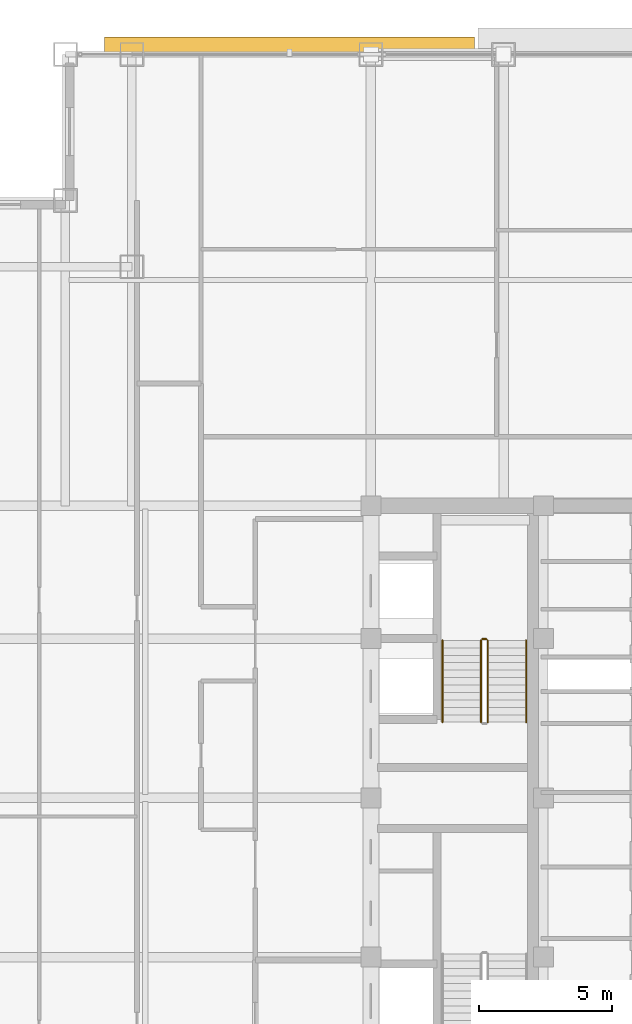
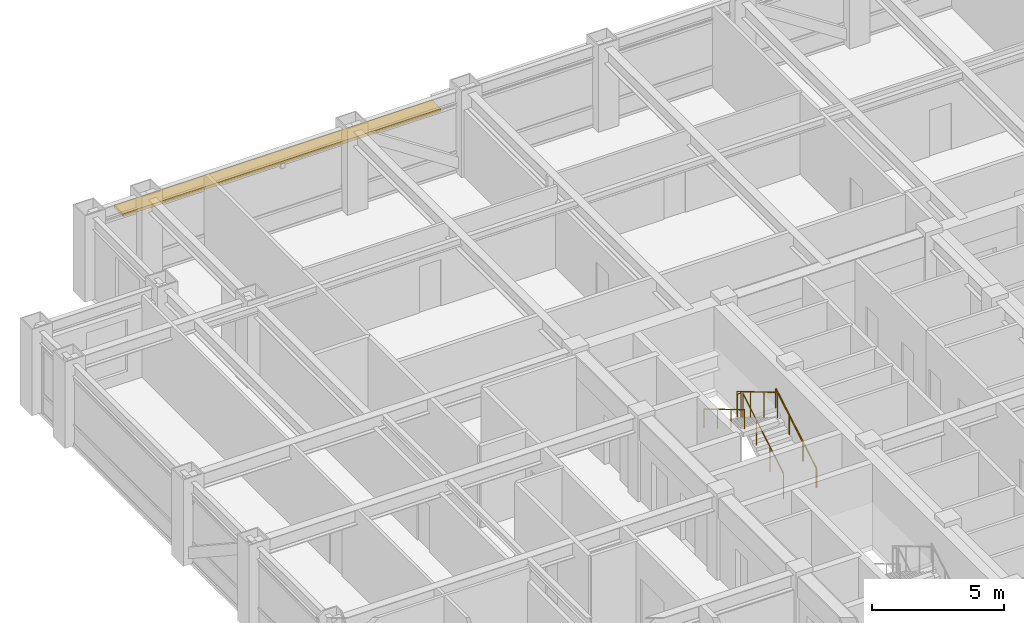
# One storey, part 28 of 29: 5 railings, 1 shading device.
"""IFC4 building model written with IfcOpenShell, lengths in metres."""

from ifc_helpers import new_model, si_unit, direction, frame, origin, origin_2d, place, context, subcontext, project, spatial, rectangle, circle, extrude, source, transform, mapped, material, layer, layer_set, type_object, element, save


model = new_model("IFC4")

# Units and contexts
model_context = context("Model", 3, precision=1e-05, world=origin(), true_north=direction((0.0, 1.0)))
body_context = subcontext(model_context, "Body", "Model", "MODEL_VIEW")
ifc_project = project(units=[si_unit("LENGTHUNIT", "METRE"), si_unit("AREAUNIT", "SQUARE_METRE"), si_unit("VOLUMEUNIT", "CUBIC_METRE"), si_unit("PLANEANGLEUNIT", "RADIAN"), si_unit("MASSUNIT", "GRAM", prefix="KILO")], contexts=[model_context])

# Site, building, storey
site_placement = place(None, origin())
site = spatial("IfcSite", under=ifc_project, at=site_placement, CompositionType="ELEMENT")
building_placement = place(site_placement, origin())
building = spatial("IfcBuilding", under=site, at=building_placement, Name="Khorayat Bourse Tower", CompositionType="ELEMENT")
storey_placement = place(building_placement, frame((0.0, 0.0, 277.5)))
storey = spatial("IfcBuildingStorey", under=building, at=storey_placement, Name="L65", CompositionType="ELEMENT", Elevation=277.5)

# Shading device
ifc_material_1 = material(Name="Precast concrete C45/55", Category="concrete")
ifc_layer = layer(ifc_material_1, 0.139892578125)
ifc_layer_set = layer_set([ifc_layer], Name="Precast concrete C45/55")
shading_device_type = type_object("IfcShadingDeviceType", Name="SHD-WAVE-TRAY-B", PredefinedType="USERDEFINED", material=ifc_layer_set)
shared_shape_1 = source(origin(), body_context, "Body", "SweptSolid", [
    extrude(rectangle(XDim=13.9267578125, YDim=0.67138671875, at=origin_2d()), origin(), (0.0, 0.0, 1.0), 0.139892578125),
])
shading_device_placement = place(storey_placement, frame((-14.066650390625, 28.31591796875, 3.0302734375), z_axis=(0.0, 0.0, 1.0), x_axis=(1.0, 0.0, 0.0)))
element("IfcShadingDevice", 1, at=shading_device_placement, inside=storey, type_object=shading_device_type, Name="L65 Sinusoidal Wave Sunshade Tray N-1", ObjectType="SUNSHADE", PredefinedType="USERDEFINED", context=body_context, shape_type="MappedRepresentation", body=[
    mapped(shared_shape_1, transform((0.0, 0.0, 0.0), scale=1.0)),
])

# Railings
ifc_material_2 = material(Name="Powder-coated steel balustrade", Category="steel")
railing_type_1 = type_object("IfcRailingType", Name="RLG-GUARD-1200", PredefinedType="GUARDRAIL", material=ifc_material_2)
shared_shape_2 = source(origin(), body_context, "Body", "SweptSolid", [
    extrude(circle(Radius=0.02392578125, at=origin_2d()), frame((0.0, 0.0, 1.17578125), z_axis=(-1.0, 0.0, 0.0), x_axis=(0.0, -1.0, 0.0)), (0.0, 0.0, 1.0), 0.150146484375),
    extrude(circle(Radius=0.02099609375, at=origin_2d()), origin(), (0.0, 0.0, 1.0), 1.15185546875),
    extrude(circle(Radius=0.02099609375, at=origin_2d()), frame((-0.150146484375, 0.0, 0.0)), (0.0, 0.0, 1.0), 1.15185546875),
])
railing_1_placement = place(storey_placement, frame((-6.64990234375, 5.97998046875, 2.0)))
element("IfcRailing", 2, at=railing_1_placement, inside=storey, type_object=railing_type_1, Name="L65 ST-2 stair guard 2", PredefinedType="GUARDRAIL", context=body_context, shape_type="MappedRepresentation", body=[
    mapped(shared_shape_2, transform((0.0, 0.0, 0.0), scale=1.0)),
])
shared_shape_3 = source(origin(), body_context, "Body", "SweptSolid", [
    extrude(circle(Radius=0.02392578125, at=origin_2d()), frame((0.0, 0.0, 1.17578125), z_axis=(0.0, 0.859290745958, 0.51148745235), x_axis=(-1.0, 0.0, 0.0)), (0.0, 0.0, 1.0), 3.584228515625),
    extrude(circle(Radius=0.02099609375, at=origin_2d()), origin(), (0.0, 0.0, 1.0), 1.15185546875),
    extrude(circle(Radius=0.02099609375, at=origin_2d()), frame((0.0, 1.026611328125, 0.611083984375)), (0.0, 0.0, 1.0), 1.15185546875),
    extrude(circle(Radius=0.02099609375, at=origin_2d()), frame((0.0, 2.05322265625, 1.22216796875)), (0.0, 0.0, 1.0), 1.15185546875),
    extrude(circle(Radius=0.02099609375, at=origin_2d()), frame((0.0, 3.079833984375, 1.833251953125)), (0.0, 0.0, 1.0), 1.15185546875),
])
railing_2_placement = place(storey_placement, frame((-6.60009765625, 2.85009765625, 0.166748046875)))
element("IfcRailing", 3, at=railing_2_placement, inside=storey, type_object=railing_type_1, Name="L65 ST-2 stair guard 1", PredefinedType="GUARDRAIL", context=body_context, shape_type="MappedRepresentation", body=[
    mapped(shared_shape_3, transform((0.0, 0.0, 0.0), scale=1.0)),
])
shared_shape_4 = source(origin(), body_context, "Body", "SweptSolid", [
    extrude(circle(Radius=0.02392578125, at=origin_2d()), frame((0.0, 0.0, 1.17578125), z_axis=(0.0, -0.859290745958, 0.51148745235), x_axis=(1.0, 0.0, 0.0)), (0.0, 0.0, 1.0), 3.584228515625),
    extrude(circle(Radius=0.02099609375, at=origin_2d()), origin(), (0.0, 0.0, 1.0), 1.15185546875),
    extrude(circle(Radius=0.02099609375, at=origin_2d()), frame((0.0, -1.026611328125, 0.611083984375)), (0.0, 0.0, 1.0), 1.15185546875),
    extrude(circle(Radius=0.02099609375, at=origin_2d()), frame((0.0, -2.05322265625, 1.22216796875)), (0.0, 0.0, 1.0), 1.15185546875),
    extrude(circle(Radius=0.02099609375, at=origin_2d()), frame((0.0, -3.079833984375, 1.833251953125)), (0.0, 0.0, 1.0), 1.15185546875),
])
railing_3_placement = place(storey_placement, frame((-6.85009765625, 5.929931640625, 2.166748046875)))
element("IfcRailing", 4, at=railing_3_placement, inside=storey, type_object=railing_type_1, Name="L65 ST-2 stair guard 3", PredefinedType="GUARDRAIL", context=body_context, shape_type="MappedRepresentation", body=[
    mapped(shared_shape_4, transform((0.0, 0.0, 0.0), scale=1.0)),
])
ifc_material_3 = material(Name="Brushed bronze stainless-steel handrail", Category="steel")
railing_type_2 = type_object("IfcRailingType", Name="RLG-HAND-900", PredefinedType="HANDRAIL", material=ifc_material_3)
shared_shape_5 = source(origin(), body_context, "Body", "SweptSolid", [
    extrude(circle(Radius=0.02392578125, at=origin_2d()), frame((0.0, 0.0, 0.8759765625), z_axis=(0.0, 0.859290745958, 0.51148745235), x_axis=(-1.0, 0.0, 0.0)), (0.0, 0.0, 1.0), 3.584228515625),
    extrude(circle(Radius=0.02099609375, at=origin_2d()), origin(), (0.0, 0.0, 1.0), 0.851806640625),
    extrude(circle(Radius=0.02099609375, at=origin_2d()), frame((0.0, 1.026611328125, 0.611083984375)), (0.0, 0.0, 1.0), 0.851806640625),
    extrude(circle(Radius=0.02099609375, at=origin_2d()), frame((0.0, 2.05322265625, 1.22216796875)), (0.0, 0.0, 1.0), 0.851806640625),
    extrude(circle(Radius=0.02099609375, at=origin_2d()), frame((0.0, 3.079833984375, 1.833251953125)), (0.0, 0.0, 1.0), 0.851806640625),
])
railing_4_placement = place(storey_placement, frame((-5.14990234375, 2.85009765625, 0.166748046875)))
element("IfcRailing", 5, at=railing_4_placement, inside=storey, type_object=railing_type_2, Name="L65 ST-2 stair handrail 1", PredefinedType="HANDRAIL", context=body_context, shape_type="MappedRepresentation", body=[
    mapped(shared_shape_5, transform((0.0, 0.0, 0.0), scale=1.0)),
])
shared_shape_6 = source(origin(), body_context, "Body", "SweptSolid", [
    extrude(circle(Radius=0.02392578125, at=origin_2d()), frame((0.0, 0.0, 0.8759765625), z_axis=(0.0, -0.859290745958, 0.51148745235), x_axis=(1.0, 0.0, 0.0)), (0.0, 0.0, 1.0), 3.584228515625),
    extrude(circle(Radius=0.02099609375, at=origin_2d()), origin(), (0.0, 0.0, 1.0), 0.851806640625),
    extrude(circle(Radius=0.02099609375, at=origin_2d()), frame((0.0, -1.026611328125, 0.611083984375)), (0.0, 0.0, 1.0), 0.851806640625),
    extrude(circle(Radius=0.02099609375, at=origin_2d()), frame((0.0, -2.05322265625, 1.22216796875)), (0.0, 0.0, 1.0), 0.851806640625),
    extrude(circle(Radius=0.02099609375, at=origin_2d()), frame((0.0, -3.079833984375, 1.833251953125)), (0.0, 0.0, 1.0), 0.851806640625),
])
railing_5_placement = place(storey_placement, frame((-8.300048828125, 5.929931640625, 2.166748046875)))
element("IfcRailing", 6, at=railing_5_placement, inside=storey, type_object=railing_type_2, Name="L65 ST-2 stair handrail 2", PredefinedType="HANDRAIL", context=body_context, shape_type="MappedRepresentation", body=[
    mapped(shared_shape_6, transform((0.0, 0.0, 0.0), scale=1.0)),
])

save(model, "model.ifc")
